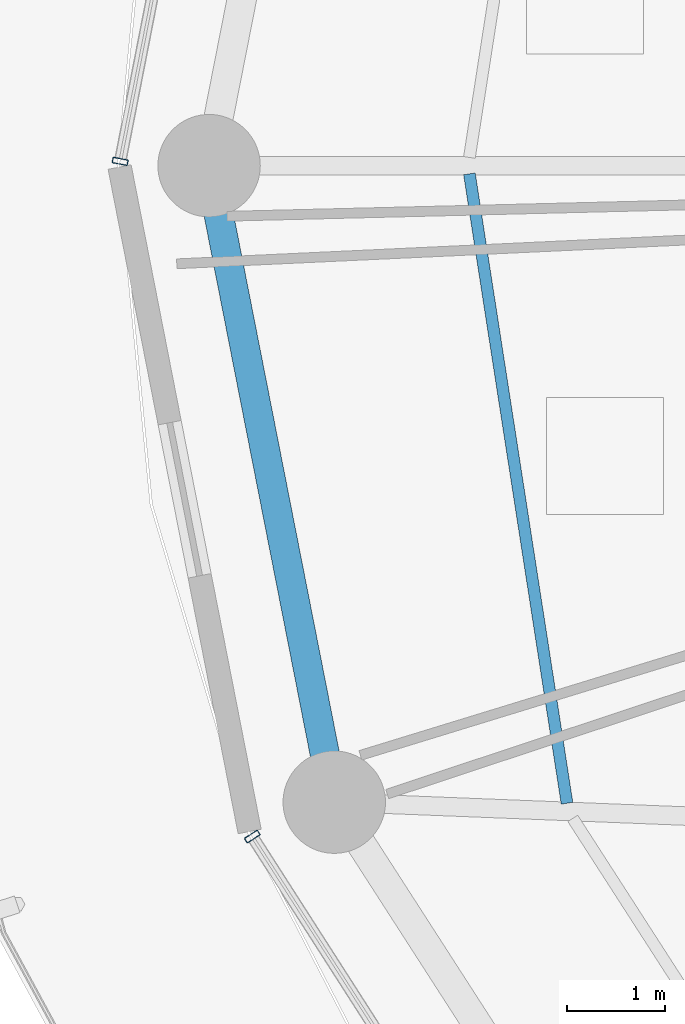
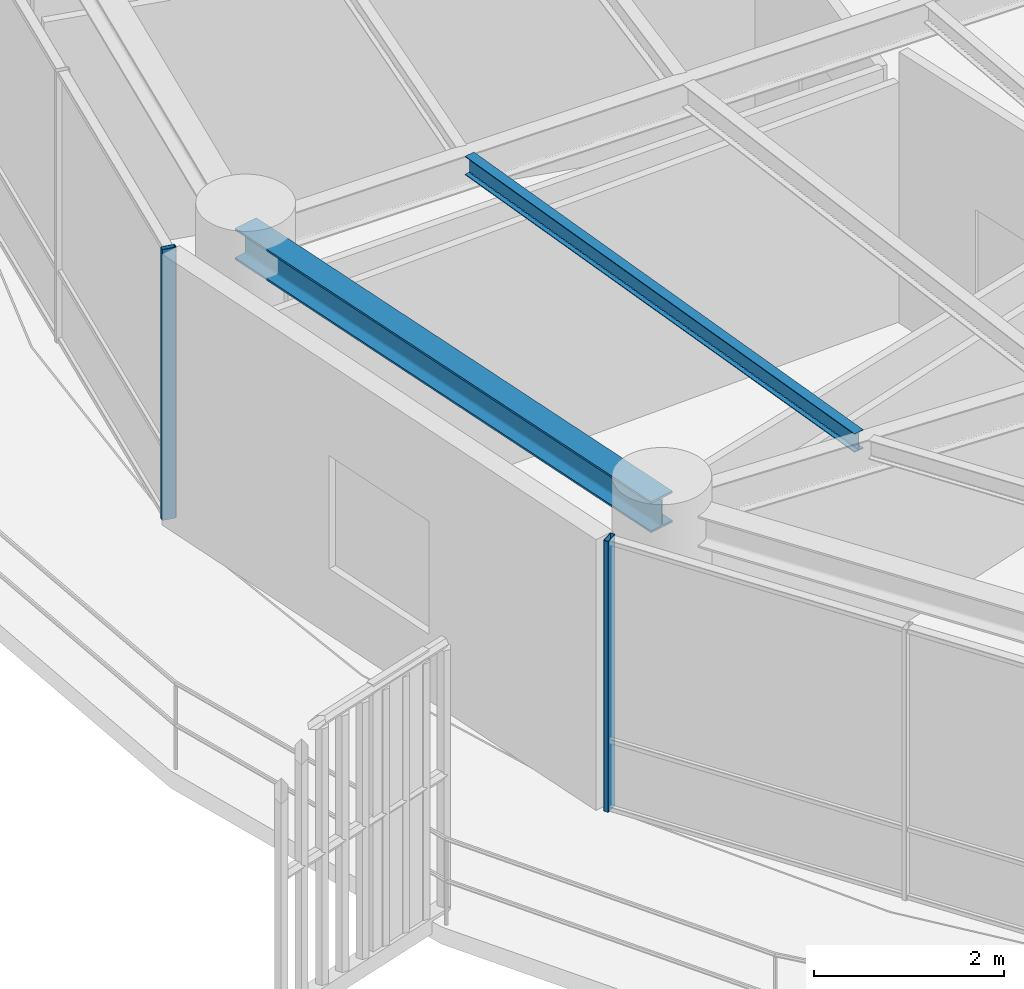
# One storey, part 6 of 31: 2 beams, 2 members, 2 elements without a shape of their own.
"""IFC4 building model written with IfcOpenShell, lengths in metres."""

from ifc_helpers import new_model, si_unit, direction, frame, origin, origin_2d, place, context, subcontext, project, spatial, hollow_rectangle, i_section, extrude, material, layer, layer_set, material_profile, profile_set, type_object, element, aggregate, save


model = new_model("IFC4")

# Units and contexts
model_context = context("Model", 3, precision=1e-05, world=origin(), true_north=direction((0.0, 1.0)))
body_context = subcontext(model_context, "Body", "Model", "MODEL_VIEW")
ifc_project = project(units=[si_unit("LENGTHUNIT", "METRE"), si_unit("AREAUNIT", "SQUARE_METRE"), si_unit("VOLUMEUNIT", "CUBIC_METRE"), si_unit("PLANEANGLEUNIT", "RADIAN"), si_unit("MASSUNIT", "GRAM", prefix="KILO")], contexts=[model_context])

# Site, building, storey
site_placement = place(None, origin())
site = spatial("IfcSite", under=ifc_project, at=site_placement, CompositionType="ELEMENT")
building_placement = place(site_placement, origin())
building = spatial("IfcBuilding", under=site, at=building_placement, Name="Kelanora Arch Commons", CompositionType="ELEMENT")
storey_placement = place(building_placement, frame((0.0, 0.0, 226.949951171875)))
storey = spatial("IfcBuildingStorey", under=building, at=storey_placement, Name="L58", CompositionType="ELEMENT", Elevation=226.949951171875)

# Beams
ifc_material_1 = material(Name="Steel S355", Category="steel")
ifc_material_profile_1 = material_profile(ifc_material_1, i_section(OverallWidth=0.1201171875, OverallDepth=0.239990234375, WebThickness=0.006103515625, FlangeThickness=0.009765625, FilletRadius=0.014892578125, at=origin_2d()), Name="IPE240")
ifc_profile_set_1 = profile_set([ifc_material_profile_1], Name="Steel S355")
beam_type_1 = type_object("IfcBeamType", Name="BM-JST-02", PredefinedType="JOIST", material=ifc_profile_set_1)
beam_1_placement = place(storey_placement, frame((55.388916015625, 57.916015625, 3.3701171875), z_axis=(0.153256756152, -0.988186402808, 0.0), x_axis=(0.988186402808, 0.153256756152, 0.0)))
element("IfcBeam", 1, at=beam_1_placement, inside=storey, type_object=beam_type_1, Name="Secondary Chord Joist BJC-18 L58", PredefinedType="JOIST", context=body_context, shape_type="SweptSolid", body=[
    extrude(i_section(OverallWidth=0.1201171875, OverallDepth=0.239990234375, WebThickness=0.006103515625, FlangeThickness=0.009765625, FilletRadius=0.014892578125, at=origin_2d()), origin(), (0.0, 0.0, 1.0), 6.52978515625),
])
ifc_material_profile_2 = material_profile(ifc_material_1, i_section(OverallWidth=0.300048828125, OverallDepth=0.39990234375, WebThickness=0.013427734375, FlangeThickness=0.02392578125, FilletRadius=0.027099609375, at=origin_2d()), Name="HEB400")
ifc_profile_set_2 = profile_set([ifc_material_profile_2], Name="Steel S355")
beam_type_2 = type_object("IfcBeamType", Name="BM-SPN-Z4", PredefinedType="SPANDREL", material=ifc_profile_set_2)
beam_2_placement = place(storey_placement, frame((52.719970703125, 58.0, 3.2900390625), z_axis=(0.192980724826, -0.981202547819, 0.0), x_axis=(0.981202547819, 0.192980724826, 0.0)))
element("IfcBeam", 2, at=beam_2_placement, inside=storey, type_object=beam_type_2, Name="Perimeter Spandrel Beam BS-18 L58", PredefinedType="SPANDREL", context=body_context, shape_type="SweptSolid", body=[
    extrude(i_section(OverallWidth=0.300048828125, OverallDepth=0.39990234375, WebThickness=0.013427734375, FlangeThickness=0.02392578125, FilletRadius=0.027099609375, at=origin_2d()), origin(), (0.0, 0.0, 1.0), 6.650634765625),
])

# Curtain wall, member
ifc_material_2 = material(Name="Terracotta ceramic-fritted low-E glass and aluminium", Category="masonry")
ifc_layer = layer(ifc_material_2, 0.175048828125)
ifc_layer_set = layer_set([ifc_layer], Name="Terracotta ceramic-fritted low-E glass and aluminium")
curtain_wall_type = type_object("IfcCurtainWallType", Name="CW-SYS-02", PredefinedType="NOTDEFINED", material=ifc_layer_set)
curtain_wall_1_placement = place(storey_placement, origin())
curtain_wall_1 = element("IfcCurtainWall", 3, at=curtain_wall_1_placement, inside=storey, type_object=curtain_wall_type, Name="Unitised Curtain Wall L58-B08", PredefinedType="NOTDEFINED")
ifc_material_3 = material(Name="Powder-coated aluminium terracotta", Category="masonry")
ifc_material_profile_3 = material_profile(ifc_material_3, hollow_rectangle(XDim=0.159912109375, YDim=0.06005859375, WallThickness=0.0048828125, InnerFilletRadius=0.0048828125, OuterFilletRadius=0.010009765625, at=origin_2d()), Name="CWM160x60")
ifc_profile_set_3 = profile_set([ifc_material_profile_3], Name="Powder-coated aluminium terracotta")
member_type = type_object("IfcMemberType", Name="CWM-STD", PredefinedType="MULLION", material=ifc_profile_set_3)
member_1_placement = place(storey_placement, frame((51.80859375, 58.044189453125, 0.0), z_axis=(0.0, 0.0, 1.0), x_axis=(0.981381438349, -0.192068926335, 0.0)))
member_1 = element("IfcMember", 4, at=member_1_placement, type_object=member_type, Name="CW-02 mullion 3", PredefinedType="MULLION", context=body_context, shape_type="SweptSolid", body=[
    extrude(hollow_rectangle(XDim=0.159912109375, YDim=0.06005859375, WallThickness=0.0048828125, InnerFilletRadius=0.0048828125, OuterFilletRadius=0.010009765625, at=origin_2d()), origin(), (0.0, 0.0, 1.0), 3.47509765625),
])
aggregate(curtain_wall_1, [member_1])

curtain_wall_2_placement = place(storey_placement, origin())
curtain_wall_2 = element("IfcCurtainWall", 5, at=curtain_wall_2_placement, inside=storey, type_object=curtain_wall_type, Name="Unitised Curtain Wall L58-B10", PredefinedType="NOTDEFINED")
member_2_placement = place(storey_placement, frame((53.1630859375, 51.121826171875, 0.0), z_axis=(0.0, 0.0, 1.0), x_axis=(0.84194757539, 0.539559338994, 0.0)))
member_2 = element("IfcMember", 6, at=member_2_placement, type_object=member_type, Name="CW-02 mullion 1", PredefinedType="MULLION", context=body_context, shape_type="SweptSolid", body=[
    extrude(hollow_rectangle(XDim=0.159912109375, YDim=0.06005859375, WallThickness=0.0048828125, InnerFilletRadius=0.0048828125, OuterFilletRadius=0.010009765625, at=origin_2d()), origin(), (0.0, 0.0, 1.0), 3.47509765625),
])
aggregate(curtain_wall_2, [member_2])

save(model, "model.ifc")
